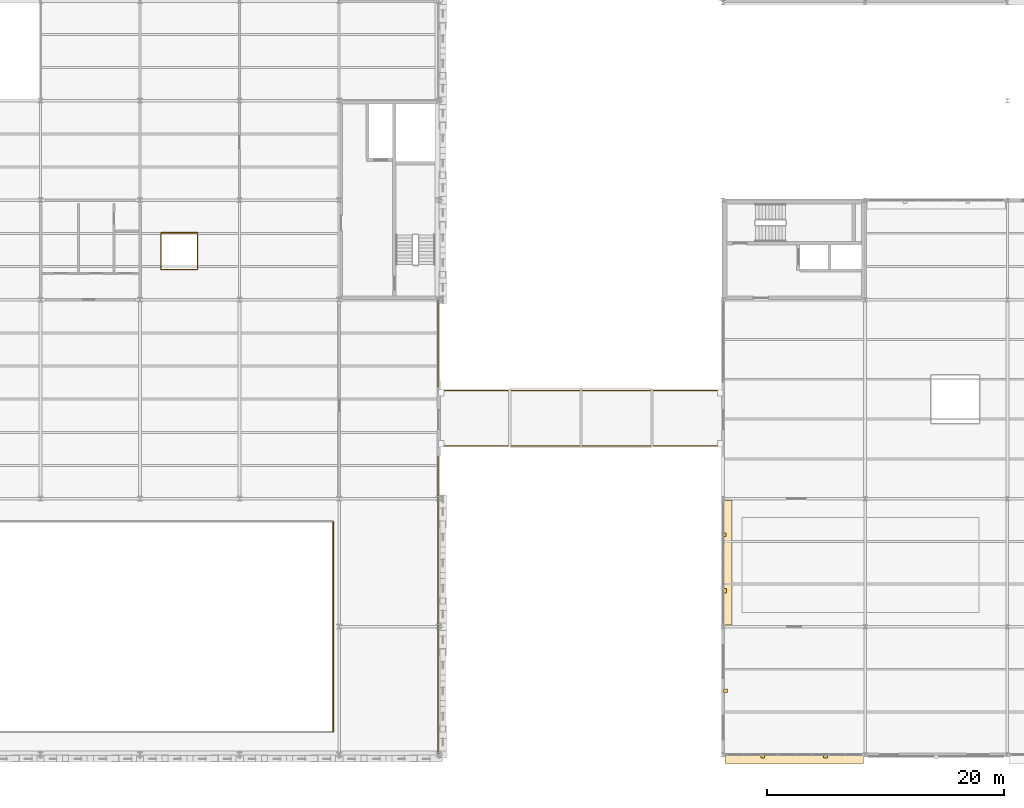
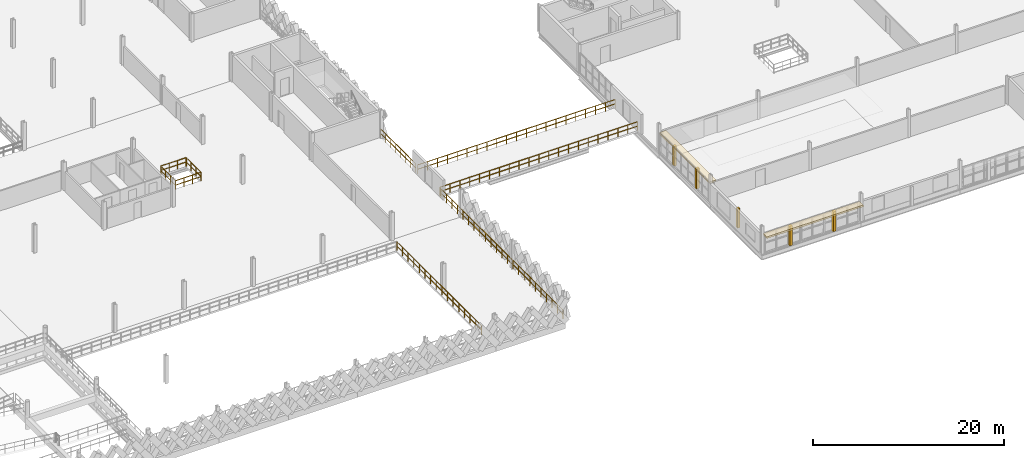
# One storey, part 94 of 101: 9 railings, 5 shading devices, 2 coverings.
"""IFC4 building model written with IfcOpenShell, lengths in metres."""

from ifc_helpers import new_model, si_unit, direction, frame, origin, origin_2d, place, context, subcontext, project, spatial, rectangle, circle, extrude, material, layer, layer_set, material_profile, profile_set, type_object, element, save


model = new_model("IFC4")

# Units and contexts
model_context = context("Model", 3, precision=1e-05, world=origin(), true_north=direction((0.0, 1.0)))
body_context = subcontext(model_context, "Body", "Model", "MODEL_VIEW")
ifc_project = project(units=[si_unit("LENGTHUNIT", "METRE"), si_unit("AREAUNIT", "SQUARE_METRE"), si_unit("VOLUMEUNIT", "CUBIC_METRE"), si_unit("PLANEANGLEUNIT", "RADIAN"), si_unit("MASSUNIT", "GRAM", prefix="KILO"), si_unit("THERMODYNAMICTEMPERATUREUNIT", "KELVIN"), si_unit("POWERUNIT", "WATT")], contexts=[model_context])

# Site, building, storey
site_placement = place(None, origin())
site = spatial("IfcSite", under=ifc_project, at=site_placement, CompositionType="ELEMENT")
building_placement = place(site_placement, origin())
building = spatial("IfcBuilding", under=site, at=building_placement, Name="Tembeka Court Mobility Hub", CompositionType="ELEMENT")
storey_placement = place(building_placement, frame((0.0, 0.0, 5.39990234375)))
storey = spatial("IfcBuildingStorey", under=building, at=storey_placement, Name="L01", CompositionType="ELEMENT", Elevation=5.39990234375)

# Coverings
ifc_material_1 = material(Name="Dressed ochre Nairobi volcanic-tuff cladding", Category="masonry")
ifc_layer = layer(ifc_material_1, 0.0400390625)
ifc_layer_set = layer_set([ifc_layer], Name="Dressed ochre Nairobi volcanic-tuff cladding")
covering_type = type_object("IfcCoveringType", Name="COV-CD01", PredefinedType="CLADDING", material=ifc_layer_set)
covering_1_placement = place(storey_placement, frame((122.39990234375, -0.360107421875, 2.30517578125), z_axis=(0.0, 0.0, 1.0), x_axis=(1.0, 0.0, 0.0)))
element("IfcCovering", 1, at=covering_1_placement, inside=storey, type_object=covering_type, Name="Projecting volcanic-tuff solar hood CVD1-H001", PredefinedType="CLADDING", context=body_context, shape_type="SweptSolid", body=[
    extrude(rectangle(XDim=11.699951171875, YDim=0.800048828125, at=origin_2d()), origin(), (0.0, 0.0, 1.0), 0.219970703125),
])
covering_2_placement = place(storey_placement, frame((116.760009765625, 16.199951171875, 2.30517578125), z_axis=(0.0, 0.0, 1.0), x_axis=(0.0, 1.0, 0.0)))
element("IfcCovering", 2, at=covering_2_placement, inside=storey, type_object=covering_type, Name="Projecting volcanic-tuff solar hood CVD1-H014", PredefinedType="CLADDING", context=body_context, shape_type="SweptSolid", body=[
    extrude(rectangle(XDim=10.5, YDim=0.800048828125, at=origin_2d()), origin(), (0.0, 0.0, 1.0), 0.219970703125),
])

# Railings
ifc_material_2 = material(Name="Laminated glass and aluminium balustrade", Category="aluminium")
railing_type_1 = type_object("IfcRailingType", Name="RL-BL01", PredefinedType="BALUSTRADE", material=ifc_material_2)
railing_1_placement = place(storey_placement, frame((92.429931640625, 26.050048828125, 0.0)))
element("IfcRailing", 3, at=railing_1_placement, inside=storey, type_object=railing_type_1, Name="Perimeter guard BL01-0021", PredefinedType="BALUSTRADE", context=body_context, shape_type="SweptSolid", body=[
    extrude(circle(Radius=0.02392578125, at=origin_2d()), frame((0.0, 0.0, 1.09619140625), z_axis=(1.0, 0.0, 0.0), x_axis=(0.0, 1.0, 0.0)), (0.0, 0.0, 1.0), 23.940185546875),
    extrude(circle(Radius=0.02392578125, at=origin_2d()), frame((0.0, 0.0, 0.5361328125), z_axis=(1.0, 0.0, 0.0), x_axis=(0.0, 1.0, 0.0)), (0.0, 0.0, 1.0), 23.940185546875),
    extrude(circle(Radius=0.02099609375, at=origin_2d()), origin(), (0.0, 0.0, 1.0), 1.072021484375),
    extrude(circle(Radius=0.02099609375, at=origin_2d()), frame((1.197021484375, 0.0, 0.0)), (0.0, 0.0, 1.0), 1.072021484375),
    extrude(circle(Radius=0.02099609375, at=origin_2d()), frame((2.39404296875, 0.0, 0.0)), (0.0, 0.0, 1.0), 1.072021484375),
    extrude(circle(Radius=0.02099609375, at=origin_2d()), frame((3.591064453125, 0.0, 0.0)), (0.0, 0.0, 1.0), 1.072021484375),
    extrude(circle(Radius=0.02099609375, at=origin_2d()), frame((4.7880859375, 0.0, 0.0)), (0.0, 0.0, 1.0), 1.072021484375),
    extrude(circle(Radius=0.02099609375, at=origin_2d()), frame((5.985107421875, 0.0, 0.0)), (0.0, 0.0, 1.0), 1.072021484375),
    extrude(circle(Radius=0.02099609375, at=origin_2d()), frame((7.18212890625, 0.0, 0.0)), (0.0, 0.0, 1.0), 1.072021484375),
    extrude(circle(Radius=0.02099609375, at=origin_2d()), frame((8.379150390625, 0.0, 0.0)), (0.0, 0.0, 1.0), 1.072021484375),
    extrude(circle(Radius=0.02099609375, at=origin_2d()), frame((9.576171875, 0.0, 0.0)), (0.0, 0.0, 1.0), 1.072021484375),
    extrude(circle(Radius=0.02099609375, at=origin_2d()), frame((10.773193359375, 0.0, 0.0)), (0.0, 0.0, 1.0), 1.072021484375),
    extrude(circle(Radius=0.02099609375, at=origin_2d()), frame((11.97021484375, 0.0, 0.0)), (0.0, 0.0, 1.0), 1.072021484375),
    extrude(circle(Radius=0.02099609375, at=origin_2d()), frame((13.1669921875, 0.0, 0.0)), (0.0, 0.0, 1.0), 1.072021484375),
    extrude(circle(Radius=0.02099609375, at=origin_2d()), frame((14.364013671875, 0.0, 0.0)), (0.0, 0.0, 1.0), 1.072021484375),
    extrude(circle(Radius=0.02099609375, at=origin_2d()), frame((15.56103515625, 0.0, 0.0)), (0.0, 0.0, 1.0), 1.072021484375),
    extrude(circle(Radius=0.02099609375, at=origin_2d()), frame((16.758056640625, 0.0, 0.0)), (0.0, 0.0, 1.0), 1.072021484375),
    extrude(circle(Radius=0.02099609375, at=origin_2d()), frame((17.955078125, 0.0, 0.0)), (0.0, 0.0, 1.0), 1.072021484375),
    extrude(circle(Radius=0.02099609375, at=origin_2d()), frame((19.152099609375, 0.0, 0.0)), (0.0, 0.0, 1.0), 1.072021484375),
    extrude(circle(Radius=0.02099609375, at=origin_2d()), frame((20.34912109375, 0.0, 0.0)), (0.0, 0.0, 1.0), 1.072021484375),
    extrude(circle(Radius=0.02099609375, at=origin_2d()), frame((21.546142578125, 0.0, 0.0)), (0.0, 0.0, 1.0), 1.072021484375),
    extrude(circle(Radius=0.02099609375, at=origin_2d()), frame((22.7431640625, 0.0, 0.0)), (0.0, 0.0, 1.0), 1.072021484375),
    extrude(circle(Radius=0.02099609375, at=origin_2d()), frame((23.940185546875, 0.0, 0.0)), (0.0, 0.0, 1.0), 1.072021484375),
])
railing_2_placement = place(storey_placement, frame((92.429931640625, 30.75, 0.0)))
element("IfcRailing", 4, at=railing_2_placement, inside=storey, type_object=railing_type_1, Name="Perimeter guard BL01-0022", PredefinedType="BALUSTRADE", context=body_context, shape_type="SweptSolid", body=[
    extrude(circle(Radius=0.02392578125, at=origin_2d()), frame((0.0, 0.0, 1.09619140625), z_axis=(1.0, 0.0, 0.0), x_axis=(0.0, 1.0, 0.0)), (0.0, 0.0, 1.0), 23.940185546875),
    extrude(circle(Radius=0.02392578125, at=origin_2d()), frame((0.0, 0.0, 0.5361328125), z_axis=(1.0, 0.0, 0.0), x_axis=(0.0, 1.0, 0.0)), (0.0, 0.0, 1.0), 23.940185546875),
    extrude(circle(Radius=0.02099609375, at=origin_2d()), origin(), (0.0, 0.0, 1.0), 1.072021484375),
    extrude(circle(Radius=0.02099609375, at=origin_2d()), frame((1.197021484375, 0.0, 0.0)), (0.0, 0.0, 1.0), 1.072021484375),
    extrude(circle(Radius=0.02099609375, at=origin_2d()), frame((2.39404296875, 0.0, 0.0)), (0.0, 0.0, 1.0), 1.072021484375),
    extrude(circle(Radius=0.02099609375, at=origin_2d()), frame((3.591064453125, 0.0, 0.0)), (0.0, 0.0, 1.0), 1.072021484375),
    extrude(circle(Radius=0.02099609375, at=origin_2d()), frame((4.7880859375, 0.0, 0.0)), (0.0, 0.0, 1.0), 1.072021484375),
    extrude(circle(Radius=0.02099609375, at=origin_2d()), frame((5.985107421875, 0.0, 0.0)), (0.0, 0.0, 1.0), 1.072021484375),
    extrude(circle(Radius=0.02099609375, at=origin_2d()), frame((7.18212890625, 0.0, 0.0)), (0.0, 0.0, 1.0), 1.072021484375),
    extrude(circle(Radius=0.02099609375, at=origin_2d()), frame((8.379150390625, 0.0, 0.0)), (0.0, 0.0, 1.0), 1.072021484375),
    extrude(circle(Radius=0.02099609375, at=origin_2d()), frame((9.576171875, 0.0, 0.0)), (0.0, 0.0, 1.0), 1.072021484375),
    extrude(circle(Radius=0.02099609375, at=origin_2d()), frame((10.773193359375, 0.0, 0.0)), (0.0, 0.0, 1.0), 1.072021484375),
    extrude(circle(Radius=0.02099609375, at=origin_2d()), frame((11.97021484375, 0.0, 0.0)), (0.0, 0.0, 1.0), 1.072021484375),
    extrude(circle(Radius=0.02099609375, at=origin_2d()), frame((13.1669921875, 0.0, 0.0)), (0.0, 0.0, 1.0), 1.072021484375),
    extrude(circle(Radius=0.02099609375, at=origin_2d()), frame((14.364013671875, 0.0, 0.0)), (0.0, 0.0, 1.0), 1.072021484375),
    extrude(circle(Radius=0.02099609375, at=origin_2d()), frame((15.56103515625, 0.0, 0.0)), (0.0, 0.0, 1.0), 1.072021484375),
    extrude(circle(Radius=0.02099609375, at=origin_2d()), frame((16.758056640625, 0.0, 0.0)), (0.0, 0.0, 1.0), 1.072021484375),
    extrude(circle(Radius=0.02099609375, at=origin_2d()), frame((17.955078125, 0.0, 0.0)), (0.0, 0.0, 1.0), 1.072021484375),
    extrude(circle(Radius=0.02099609375, at=origin_2d()), frame((19.152099609375, 0.0, 0.0)), (0.0, 0.0, 1.0), 1.072021484375),
    extrude(circle(Radius=0.02099609375, at=origin_2d()), frame((20.34912109375, 0.0, 0.0)), (0.0, 0.0, 1.0), 1.072021484375),
    extrude(circle(Radius=0.02099609375, at=origin_2d()), frame((21.546142578125, 0.0, 0.0)), (0.0, 0.0, 1.0), 1.072021484375),
    extrude(circle(Radius=0.02099609375, at=origin_2d()), frame((22.7431640625, 0.0, 0.0)), (0.0, 0.0, 1.0), 1.072021484375),
    extrude(circle(Radius=0.02099609375, at=origin_2d()), frame((23.940185546875, 0.0, 0.0)), (0.0, 0.0, 1.0), 1.072021484375),
])
ifc_material_3 = material(Name="Painted galvanised steel balustrade", Category="steel")
railing_type_2 = type_object("IfcRailingType", Name="RL-GR01", PredefinedType="GUARDRAIL", material=ifc_material_3)
railing_3_placement = place(storey_placement, frame((68.97998046875, 40.949951171875, 0.0)))
element("IfcRailing", 5, at=railing_3_placement, inside=storey, type_object=railing_type_2, Name="Perimeter guard GR01-0049", PredefinedType="GUARDRAIL", context=body_context, shape_type="SweptSolid", body=[
    extrude(circle(Radius=0.02392578125, at=origin_2d()), frame((0.0, 0.0, 1.09619140625), z_axis=(1.0, 0.0, 0.0), x_axis=(0.0, 1.0, 0.0)), (0.0, 0.0, 1.0), 3.0400390625),
    extrude(circle(Radius=0.02392578125, at=origin_2d()), frame((0.0, 0.0, 0.5361328125), z_axis=(1.0, 0.0, 0.0), x_axis=(0.0, 1.0, 0.0)), (0.0, 0.0, 1.0), 3.0400390625),
    extrude(circle(Radius=0.02099609375, at=origin_2d()), origin(), (0.0, 0.0, 1.0), 1.072021484375),
    extrude(circle(Radius=0.02099609375, at=origin_2d()), frame((1.013427734375, 0.0, 0.0)), (0.0, 0.0, 1.0), 1.072021484375),
    extrude(circle(Radius=0.02099609375, at=origin_2d()), frame((2.026611328125, 0.0, 0.0)), (0.0, 0.0, 1.0), 1.072021484375),
    extrude(circle(Radius=0.02099609375, at=origin_2d()), frame((3.0400390625, 0.0, 0.0)), (0.0, 0.0, 1.0), 1.072021484375),
])
railing_4_placement = place(storey_placement, frame((72.050048828125, 40.97998046875, 0.0)))
element("IfcRailing", 6, at=railing_4_placement, inside=storey, type_object=railing_type_2, Name="Perimeter guard GR01-0050", PredefinedType="GUARDRAIL", context=body_context, shape_type="SweptSolid", body=[
    extrude(circle(Radius=0.02392578125, at=origin_2d()), frame((0.0, 0.0, 1.09619140625), z_axis=(0.0, 1.0, 0.0), x_axis=(-1.0, 0.0, 0.0)), (0.0, 0.0, 1.0), 3.0400390625),
    extrude(circle(Radius=0.02392578125, at=origin_2d()), frame((0.0, 0.0, 0.5361328125), z_axis=(0.0, 1.0, 0.0), x_axis=(-1.0, 0.0, 0.0)), (0.0, 0.0, 1.0), 3.0400390625),
    extrude(circle(Radius=0.02099609375, at=origin_2d()), origin(), (0.0, 0.0, 1.0), 1.072021484375),
    extrude(circle(Radius=0.02099609375, at=origin_2d()), frame((0.0, 1.013427734375, 0.0)), (0.0, 0.0, 1.0), 1.072021484375),
    extrude(circle(Radius=0.02099609375, at=origin_2d()), frame((0.0, 2.026611328125, 0.0)), (0.0, 0.0, 1.0), 1.072021484375),
    extrude(circle(Radius=0.02099609375, at=origin_2d()), frame((0.0, 3.0400390625, 0.0)), (0.0, 0.0, 1.0), 1.072021484375),
])
railing_5_placement = place(storey_placement, frame((72.02001953125, 44.050048828125, 0.0)))
element("IfcRailing", 7, at=railing_5_placement, inside=storey, type_object=railing_type_2, Name="Perimeter guard GR01-0051", PredefinedType="GUARDRAIL", context=body_context, shape_type="SweptSolid", body=[
    extrude(circle(Radius=0.02392578125, at=origin_2d()), frame((0.0, 0.0, 1.09619140625), z_axis=(-1.0, 0.0, 0.0), x_axis=(0.0, -1.0, 0.0)), (0.0, 0.0, 1.0), 3.0400390625),
    extrude(circle(Radius=0.02392578125, at=origin_2d()), frame((0.0, 0.0, 0.5361328125), z_axis=(-1.0, 0.0, 0.0), x_axis=(0.0, -1.0, 0.0)), (0.0, 0.0, 1.0), 3.0400390625),
    extrude(circle(Radius=0.02099609375, at=origin_2d()), origin(), (0.0, 0.0, 1.0), 1.072021484375),
    extrude(circle(Radius=0.02099609375, at=origin_2d()), frame((-1.013427734375, 0.0, 0.0)), (0.0, 0.0, 1.0), 1.072021484375),
    extrude(circle(Radius=0.02099609375, at=origin_2d()), frame((-2.026611328125, 0.0, 0.0)), (0.0, 0.0, 1.0), 1.072021484375),
    extrude(circle(Radius=0.02099609375, at=origin_2d()), frame((-3.0400390625, 0.0, 0.0)), (0.0, 0.0, 1.0), 1.072021484375),
])
railing_6_placement = place(storey_placement, frame((68.949951171875, 44.02001953125, 0.0)))
element("IfcRailing", 8, at=railing_6_placement, inside=storey, type_object=railing_type_2, Name="Perimeter guard GR01-0052", PredefinedType="GUARDRAIL", context=body_context, shape_type="SweptSolid", body=[
    extrude(circle(Radius=0.02392578125, at=origin_2d()), frame((0.0, 0.0, 1.09619140625), z_axis=(0.0, -1.0, 0.0), x_axis=(1.0, 0.0, 0.0)), (0.0, 0.0, 1.0), 3.0400390625),
    extrude(circle(Radius=0.02392578125, at=origin_2d()), frame((0.0, 0.0, 0.5361328125), z_axis=(0.0, -1.0, 0.0), x_axis=(1.0, 0.0, 0.0)), (0.0, 0.0, 1.0), 3.0400390625),
    extrude(circle(Radius=0.02099609375, at=origin_2d()), origin(), (0.0, 0.0, 1.0), 1.072021484375),
    extrude(circle(Radius=0.02099609375, at=origin_2d()), frame((0.0, -1.013427734375, 0.0)), (0.0, 0.0, 1.0), 1.072021484375),
    extrude(circle(Radius=0.02099609375, at=origin_2d()), frame((0.0, -2.026611328125, 0.0)), (0.0, 0.0, 1.0), 1.072021484375),
    extrude(circle(Radius=0.02099609375, at=origin_2d()), frame((0.0, -3.0400390625, 0.0)), (0.0, 0.0, 1.0), 1.072021484375),
])
railing_7_placement = place(storey_placement, frame((83.5, 1.929931640625, 0.0)))
element("IfcRailing", 9, at=railing_7_placement, inside=storey, type_object=railing_type_2, Name="Perimeter guard GR01-0054", PredefinedType="GUARDRAIL", context=body_context, shape_type="SweptSolid", body=[
    extrude(circle(Radius=0.02392578125, at=origin_2d()), frame((0.0, 0.0, 1.09619140625), z_axis=(0.0, 1.0, 0.0), x_axis=(-1.0, 0.0, 0.0)), (0.0, 0.0, 1.0), 17.739990234375),
    extrude(circle(Radius=0.02392578125, at=origin_2d()), frame((0.0, 0.0, 0.5361328125), z_axis=(0.0, 1.0, 0.0), x_axis=(-1.0, 0.0, 0.0)), (0.0, 0.0, 1.0), 17.739990234375),
    extrude(circle(Radius=0.02099609375, at=origin_2d()), origin(), (0.0, 0.0, 1.0), 1.072021484375),
    extrude(circle(Radius=0.02099609375, at=origin_2d()), frame((0.0, 1.1826171875, 0.0)), (0.0, 0.0, 1.0), 1.072021484375),
    extrude(circle(Radius=0.02099609375, at=origin_2d()), frame((0.0, 2.365234375, 0.0)), (0.0, 0.0, 1.0), 1.072021484375),
    extrude(circle(Radius=0.02099609375, at=origin_2d()), frame((0.0, 3.548095703125, 0.0)), (0.0, 0.0, 1.0), 1.072021484375),
    extrude(circle(Radius=0.02099609375, at=origin_2d()), frame((0.0, 4.730712890625, 0.0)), (0.0, 0.0, 1.0), 1.072021484375),
    extrude(circle(Radius=0.02099609375, at=origin_2d()), frame((0.0, 5.913330078125, 0.0)), (0.0, 0.0, 1.0), 1.072021484375),
    extrude(circle(Radius=0.02099609375, at=origin_2d()), frame((0.0, 7.095947265625, 0.0)), (0.0, 0.0, 1.0), 1.072021484375),
    extrude(circle(Radius=0.02099609375, at=origin_2d()), frame((0.0, 8.278564453125, 0.0)), (0.0, 0.0, 1.0), 1.072021484375),
    extrude(circle(Radius=0.02099609375, at=origin_2d()), frame((0.0, 9.46142578125, 0.0)), (0.0, 0.0, 1.0), 1.072021484375),
    extrude(circle(Radius=0.02099609375, at=origin_2d()), frame((0.0, 10.64404296875, 0.0)), (0.0, 0.0, 1.0), 1.072021484375),
    extrude(circle(Radius=0.02099609375, at=origin_2d()), frame((0.0, 11.82666015625, 0.0)), (0.0, 0.0, 1.0), 1.072021484375),
    extrude(circle(Radius=0.02099609375, at=origin_2d()), frame((0.0, 13.00927734375, 0.0)), (0.0, 0.0, 1.0), 1.072021484375),
    extrude(circle(Radius=0.02099609375, at=origin_2d()), frame((0.0, 14.19189453125, 0.0)), (0.0, 0.0, 1.0), 1.072021484375),
    extrude(circle(Radius=0.02099609375, at=origin_2d()), frame((0.0, 15.374755859375, 0.0)), (0.0, 0.0, 1.0), 1.072021484375),
    extrude(circle(Radius=0.02099609375, at=origin_2d()), frame((0.0, 16.557373046875, 0.0)), (0.0, 0.0, 1.0), 1.072021484375),
    extrude(circle(Radius=0.02099609375, at=origin_2d()), frame((0.0, 17.739990234375, 0.0)), (0.0, 0.0, 1.0), 1.072021484375),
])
railing_type_3 = type_object("IfcRailingType", Name="RL-GR02", PredefinedType="GUARDRAIL", material=ifc_material_3)
railing_8_placement = place(storey_placement, frame((92.35009765625, 0.080078125, 0.0)))
element("IfcRailing", 10, at=railing_8_placement, inside=storey, type_object=railing_type_3, Name="Perimeter guard GR02-0066", PredefinedType="GUARDRAIL", context=body_context, shape_type="SweptSolid", body=[
    extrude(circle(Radius=0.02392578125, at=origin_2d()), frame((0.0, 0.0, 1.09619140625), z_axis=(0.0, 1.0, 0.0), x_axis=(-1.0, 0.0, 0.0)), (0.0, 0.0, 1.0), 25.68994140625),
    extrude(circle(Radius=0.02392578125, at=origin_2d()), frame((0.0, 0.0, 0.5361328125), z_axis=(0.0, 1.0, 0.0), x_axis=(-1.0, 0.0, 0.0)), (0.0, 0.0, 1.0), 25.68994140625),
    extrude(circle(Radius=0.02099609375, at=origin_2d()), origin(), (0.0, 0.0, 1.0), 1.072021484375),
    extrude(circle(Radius=0.02099609375, at=origin_2d()), frame((0.0, 1.167724609375, 0.0)), (0.0, 0.0, 1.0), 1.072021484375),
    extrude(circle(Radius=0.02099609375, at=origin_2d()), frame((0.0, 2.33544921875, 0.0)), (0.0, 0.0, 1.0), 1.072021484375),
    extrude(circle(Radius=0.02099609375, at=origin_2d()), frame((0.0, 3.503173828125, 0.0)), (0.0, 0.0, 1.0), 1.072021484375),
    extrude(circle(Radius=0.02099609375, at=origin_2d()), frame((0.0, 4.6708984375, 0.0)), (0.0, 0.0, 1.0), 1.072021484375),
    extrude(circle(Radius=0.02099609375, at=origin_2d()), frame((0.0, 5.838623046875, 0.0)), (0.0, 0.0, 1.0), 1.072021484375),
    extrude(circle(Radius=0.02099609375, at=origin_2d()), frame((0.0, 7.00634765625, 0.0)), (0.0, 0.0, 1.0), 1.072021484375),
    extrude(circle(Radius=0.02099609375, at=origin_2d()), frame((0.0, 8.174072265625, 0.0)), (0.0, 0.0, 1.0), 1.072021484375),
    extrude(circle(Radius=0.02099609375, at=origin_2d()), frame((0.0, 9.341796875, 0.0)), (0.0, 0.0, 1.0), 1.072021484375),
    extrude(circle(Radius=0.02099609375, at=origin_2d()), frame((0.0, 10.509521484375, 0.0)), (0.0, 0.0, 1.0), 1.072021484375),
    extrude(circle(Radius=0.02099609375, at=origin_2d()), frame((0.0, 11.67724609375, 0.0)), (0.0, 0.0, 1.0), 1.072021484375),
    extrude(circle(Radius=0.02099609375, at=origin_2d()), frame((0.0, 12.844970703125, 0.0)), (0.0, 0.0, 1.0), 1.072021484375),
    extrude(circle(Radius=0.02099609375, at=origin_2d()), frame((0.0, 14.0126953125, 0.0)), (0.0, 0.0, 1.0), 1.072021484375),
    extrude(circle(Radius=0.02099609375, at=origin_2d()), frame((0.0, 15.180419921875, 0.0)), (0.0, 0.0, 1.0), 1.072021484375),
    extrude(circle(Radius=0.02099609375, at=origin_2d()), frame((0.0, 16.34814453125, 0.0)), (0.0, 0.0, 1.0), 1.072021484375),
    extrude(circle(Radius=0.02099609375, at=origin_2d()), frame((0.0, 17.515869140625, 0.0)), (0.0, 0.0, 1.0), 1.072021484375),
    extrude(circle(Radius=0.02099609375, at=origin_2d()), frame((0.0, 18.68359375, 0.0)), (0.0, 0.0, 1.0), 1.072021484375),
    extrude(circle(Radius=0.02099609375, at=origin_2d()), frame((0.0, 19.851318359375, 0.0)), (0.0, 0.0, 1.0), 1.072021484375),
    extrude(circle(Radius=0.02099609375, at=origin_2d()), frame((0.0, 21.01904296875, 0.0)), (0.0, 0.0, 1.0), 1.072021484375),
    extrude(circle(Radius=0.02099609375, at=origin_2d()), frame((0.0, 22.186767578125, 0.0)), (0.0, 0.0, 1.0), 1.072021484375),
    extrude(circle(Radius=0.02099609375, at=origin_2d()), frame((0.0, 23.3544921875, 0.0)), (0.0, 0.0, 1.0), 1.072021484375),
    extrude(circle(Radius=0.02099609375, at=origin_2d()), frame((0.0, 24.522216796875, 0.0)), (0.0, 0.0, 1.0), 1.072021484375),
    extrude(circle(Radius=0.02099609375, at=origin_2d()), frame((0.0, 25.68994140625, 0.0)), (0.0, 0.0, 1.0), 1.072021484375),
])
railing_9_placement = place(storey_placement, frame((92.35009765625, 31.030029296875, 0.0)))
element("IfcRailing", 11, at=railing_9_placement, inside=storey, type_object=railing_type_3, Name="Perimeter guard GR02-0067", PredefinedType="GUARDRAIL", context=body_context, shape_type="SweptSolid", body=[
    extrude(circle(Radius=0.02392578125, at=origin_2d()), frame((0.0, 0.0, 1.09619140625), z_axis=(0.0, 1.0, 0.0), x_axis=(-1.0, 0.0, 0.0)), (0.0, 0.0, 1.0), 7.340087890625),
    extrude(circle(Radius=0.02392578125, at=origin_2d()), frame((0.0, 0.0, 0.5361328125), z_axis=(0.0, 1.0, 0.0), x_axis=(-1.0, 0.0, 0.0)), (0.0, 0.0, 1.0), 7.340087890625),
    extrude(circle(Radius=0.02099609375, at=origin_2d()), origin(), (0.0, 0.0, 1.0), 1.072021484375),
    extrude(circle(Radius=0.02099609375, at=origin_2d()), frame((0.0, 1.048583984375, 0.0)), (0.0, 0.0, 1.0), 1.072021484375),
    extrude(circle(Radius=0.02099609375, at=origin_2d()), frame((0.0, 2.09716796875, 0.0)), (0.0, 0.0, 1.0), 1.072021484375),
    extrude(circle(Radius=0.02099609375, at=origin_2d()), frame((0.0, 3.145751953125, 0.0)), (0.0, 0.0, 1.0), 1.072021484375),
    extrude(circle(Radius=0.02099609375, at=origin_2d()), frame((0.0, 4.1943359375, 0.0)), (0.0, 0.0, 1.0), 1.072021484375),
    extrude(circle(Radius=0.02099609375, at=origin_2d()), frame((0.0, 5.242919921875, 0.0)), (0.0, 0.0, 1.0), 1.072021484375),
    extrude(circle(Radius=0.02099609375, at=origin_2d()), frame((0.0, 6.29150390625, 0.0)), (0.0, 0.0, 1.0), 1.072021484375),
    extrude(circle(Radius=0.02099609375, at=origin_2d()), frame((0.0, 7.340087890625, 0.0)), (0.0, 0.0, 1.0), 1.072021484375),
])

# Shading devices
ifc_material_4 = material(Name="Bronze-anodised aluminium 6063-T6", Category="aluminium")
ifc_material_profile_1 = material_profile(ifc_material_4, rectangle(XDim=0.360107421875, YDim=0.360107421875, at=origin_2d()), Name="ALU-FIN 360x360")
ifc_profile_set_1 = profile_set([ifc_material_profile_1], Name="Bronze-anodised aluminium 6063-T6")
shading_device_type_1 = type_object("IfcShadingDeviceType", Name="SHD-FN01", PredefinedType="JALOUSIE", material=ifc_profile_set_1)
for number, where, z_axis, x_axis, name in (
    (12, (125.0400390625, -0.1201171875, 0.0), (0.0, 0.0, 1.0), (1.0, 0.0, 0.0), "Equatorial solar shading fin FN01-002"),
    (13, (116.52001953125, 13.823974609375, 0.0), (0.0, 0.0, 1.0), (1.0, 0.0, 0.0), "Equatorial solar shading fin FN01-026"),
):
    element("IfcShadingDevice", number, at=place(storey_placement, frame(where, z_axis=z_axis, x_axis=x_axis)), inside=storey, type_object=shading_device_type_1, Name=name, PredefinedType="JALOUSIE", context=body_context, shape_type="SweptSolid", body=[
        extrude(rectangle(XDim=0.360107421875, YDim=0.360107421875, at=origin_2d()), origin(), (0.0, 0.0, 1.0), 2.51513671875),
    ])
ifc_material_profile_2 = material_profile(ifc_material_4, rectangle(XDim=0.300048828125, YDim=0.300048828125, at=origin_2d()), Name="ALU-LVR 300x300")
ifc_profile_set_2 = profile_set([ifc_material_profile_2], Name="Bronze-anodised aluminium 6063-T6")
shading_device_type_2 = type_object("IfcShadingDeviceType", Name="SHD-LV01", PredefinedType="SHUTTER", material=ifc_profile_set_2)
shading_device_1_placement = place(storey_placement, frame((119.760009765625, -0.1201171875, 0.0), z_axis=(0.0, 0.0, 1.0), x_axis=(1.0, 0.0, 0.0)))
element("IfcShadingDevice", 14, at=shading_device_1_placement, inside=storey, type_object=shading_device_type_2, Name="Equatorial solar shading fin LV01-001", PredefinedType="SHUTTER", context=body_context, shape_type="SweptSolid", body=[
    extrude(rectangle(XDim=0.300048828125, YDim=0.300048828125, at=origin_2d()), origin(), (0.0, 0.0, 1.0), 2.51513671875),
])
shading_device_2_placement = place(storey_placement, frame((116.610107421875, 5.39990234375, 0.0), z_axis=(0.0, 0.0, 1.0), x_axis=(1.0, 0.0, 0.0)))
element("IfcShadingDevice", 15, at=shading_device_2_placement, inside=storey, type_object=shading_device_type_2, Name="Equatorial solar shading fin LV01-025", PredefinedType="SHUTTER", context=body_context, shape_type="SweptSolid", body=[
    extrude(rectangle(XDim=0.300048828125, YDim=0.300048828125, at=origin_2d()), origin(), (0.0, 0.0, 1.0), 2.485107421875),
])
shading_device_3_placement = place(storey_placement, frame((116.52001953125, 18.575927734375, 0.0), z_axis=(0.0, 0.0, 1.0), x_axis=(1.0, 0.0, 0.0)))
element("IfcShadingDevice", 16, at=shading_device_3_placement, inside=storey, type_object=shading_device_type_2, Name="Equatorial solar shading fin LV01-027", PredefinedType="SHUTTER", context=body_context, shape_type="SweptSolid", body=[
    extrude(rectangle(XDim=0.300048828125, YDim=0.300048828125, at=origin_2d()), origin(), (0.0, 0.0, 1.0), 2.51513671875),
])

save(model, "model.ifc")
